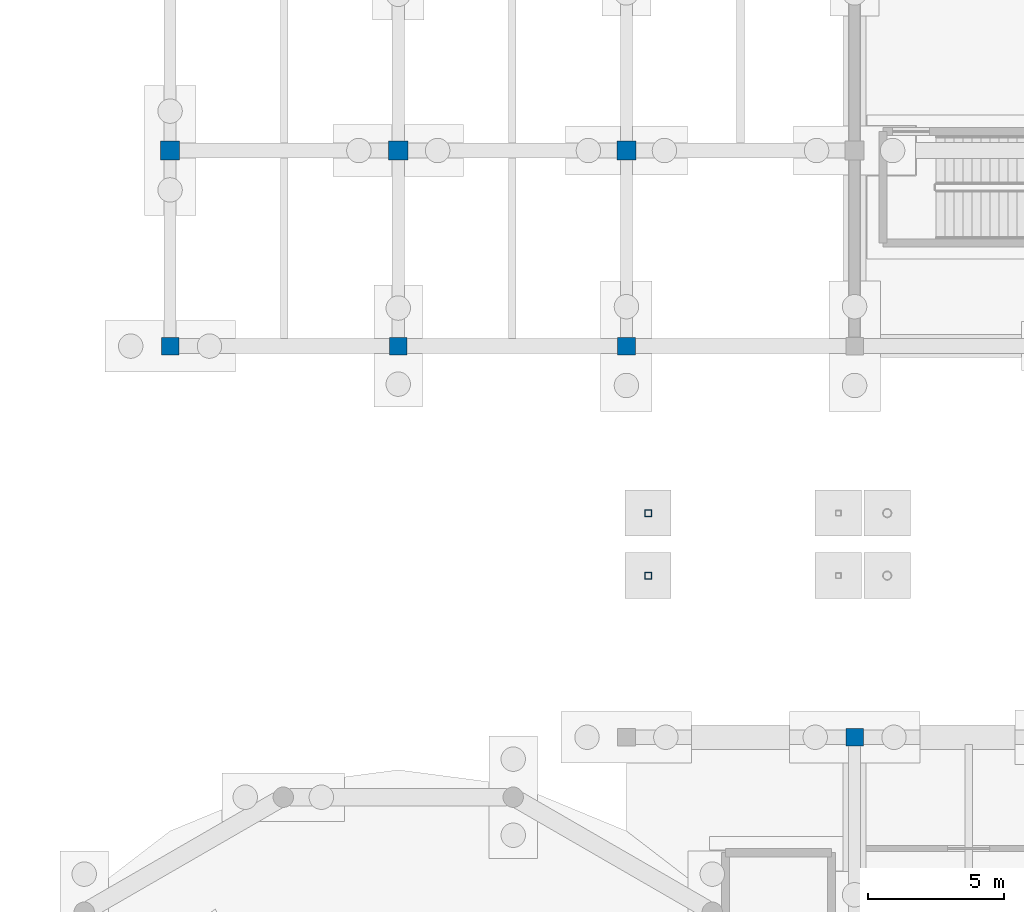
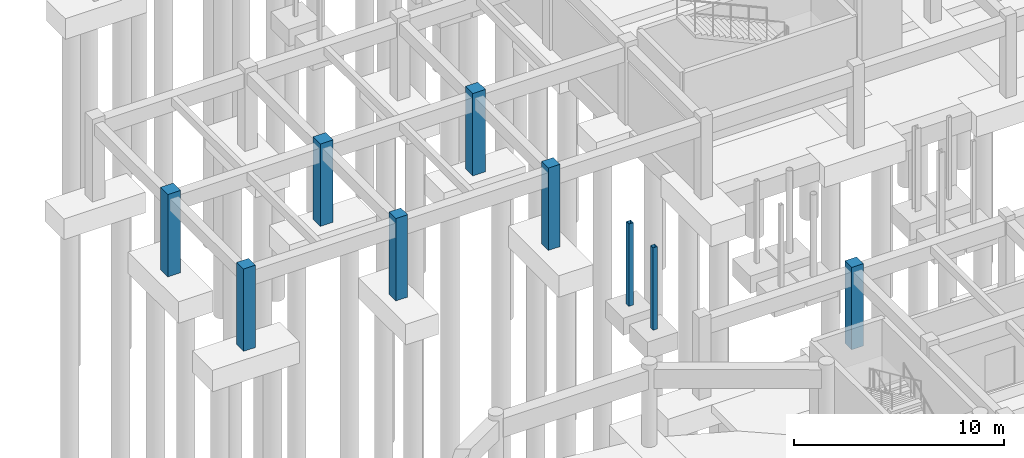
# One storey, part 17 of 80: 9 columns.
"""IFC4 building model written with IfcOpenShell, lengths in metres."""

from ifc_helpers import new_model, si_unit, direction, frame, origin, origin_2d, place, context, subcontext, project, spatial, rectangle, hollow_rectangle, extrude, material, material_profile, profile_set, type_object, element, save


model = new_model("IFC4")

# Units and contexts
model_context = context("Model", 3, precision=1e-05, world=origin(), true_north=direction((0.0, 1.0)))
body_context = subcontext(model_context, "Body", "Model", "MODEL_VIEW")
ifc_project = project(units=[si_unit("LENGTHUNIT", "METRE"), si_unit("AREAUNIT", "SQUARE_METRE"), si_unit("VOLUMEUNIT", "CUBIC_METRE"), si_unit("PLANEANGLEUNIT", "RADIAN"), si_unit("MASSUNIT", "GRAM", prefix="KILO")], contexts=[model_context])

# Site, building, storey
site_placement = place(None, origin())
site = spatial("IfcSite", under=ifc_project, at=site_placement, CompositionType="ELEMENT")
building_placement = place(site_placement, origin())
building = spatial("IfcBuilding", under=site, at=building_placement, Name="Malvenik Polytechnic", CompositionType="ELEMENT")
storey_placement = place(building_placement, frame((0.0, 0.0, -4.800048828125)))
storey = spatial("IfcBuildingStorey", under=building, at=storey_placement, Name="B1", CompositionType="ELEMENT", Elevation=-4.800048828125)

# Columns
ifc_material_1 = material(Name="Concrete C40/50", Category="concrete")
ifc_material_profile_1 = material_profile(ifc_material_1, rectangle(XDim=0.699951171875, YDim=0.699951171875, at=origin_2d()), Name="RC COL 700x700")
ifc_profile_set_1 = profile_set([ifc_material_profile_1], Name="Concrete C40/50")
column_type_1 = type_object("IfcColumnType", Name="STR-COL-C-04", PredefinedType="COLUMN", material=ifc_profile_set_1)
for number, where, z_axis, x_axis, name in (
    (1, (8.39990234375, 57.60009765625, 0.0), (0.0, 0.0, 1.0), (1.0, 0.0, 0.0), "Column C-04 B1 (8.4,57.6)"),
    (2, (16.800048828125, 57.60009765625, 0.0), (0.0, 0.0, 1.0), (1.0, 0.0, 0.0), "Column C-04 B1 (16.8,57.6)"),
    (3, (25.199951171875, 57.60009765625, 0.0), (0.0, 0.0, 1.0), (1.0, 0.0, 0.0), "Column C-04 B1 (25.2,57.6)"),
):
    element("IfcColumn", number, at=place(storey_placement, frame(where, z_axis=z_axis, x_axis=x_axis)), inside=storey, type_object=column_type_1, Name=name, PredefinedType="COLUMN", context=body_context, shape_type="SweptSolid", body=[
        extrude(rectangle(XDim=0.699951171875, YDim=0.699951171875, at=origin_2d()), origin(), (0.0, 0.0, 1.0), 4.800048828125),
    ])
ifc_material_2 = material(Name="Concrete C35/45", Category="concrete")
ifc_material_profile_2 = material_profile(ifc_material_2, rectangle(XDim=0.64990234375, YDim=0.64990234375, at=origin_2d()), Name="RC COL 650x650")
ifc_profile_set_2 = profile_set([ifc_material_profile_2], Name="Concrete C35/45")
column_type_2 = type_object("IfcColumnType", Name="STR-COL-C-05", PredefinedType="COLUMN", material=ifc_profile_set_2)
for number, where, z_axis, x_axis, name in (
    (4, (8.39990234375, 50.39990234375, 0.0), (0.0, 0.0, 1.0), (1.0, 0.0, 0.0), "Column C-05 B1 (8.4,50.4)"),
    (5, (16.800048828125, 50.39990234375, 0.0), (0.0, 0.0, 1.0), (1.0, 0.0, 0.0), "Column C-05 B1 (16.8,50.4)"),
    (6, (25.199951171875, 50.39990234375, 0.0), (0.0, 0.0, 1.0), (1.0, 0.0, 0.0), "Column C-05 B1 (25.2,50.4)"),
    (7, (33.60009765625, 36.0, 0.0), (0.0, 0.0, 1.0), (1.0, 0.0, 0.0), "Column C-05 B1 (33.6,36.0)"),
):
    element("IfcColumn", number, at=place(storey_placement, frame(where, z_axis=z_axis, x_axis=x_axis)), inside=storey, type_object=column_type_2, Name=name, PredefinedType="COLUMN", context=body_context, shape_type="SweptSolid", body=[
        extrude(rectangle(XDim=0.64990234375, YDim=0.64990234375, at=origin_2d()), origin(), (0.0, 0.0, 1.0), 4.800048828125),
    ])
ifc_material_3 = material(Name="Steel S355J2H", Category="steel")
ifc_material_profile_3 = material_profile(ifc_material_3, hollow_rectangle(XDim=0.25, YDim=0.25, WallThickness=0.010009765625, at=origin_2d()), Name="SHS 250x250x10.0")
ifc_profile_set_3 = profile_set([ifc_material_profile_3], Name="Steel S355J2H")
column_type_3 = type_object("IfcColumnType", Name="STR-SCOL-SC-01", PredefinedType="COLUMN", material=ifc_profile_set_3)
for number, where, z_axis, x_axis, name in (
    (8, (26.0, 41.949951171875, 0.0), (0.0, 0.0, 1.0), (1.0, 0.0, 0.0), "Bridge-Ramp Support Column SC-01 B1"),
    (9, (26.0, 44.25, 0.0), (0.0, 0.0, 1.0), (1.0, 0.0, 0.0), "Bridge-Ramp Support Column SC-01 B1"),
):
    element("IfcColumn", number, at=place(storey_placement, frame(where, z_axis=z_axis, x_axis=x_axis)), inside=storey, type_object=column_type_3, Name=name, PredefinedType="COLUMN", context=body_context, shape_type="SweptSolid", body=[
        extrude(hollow_rectangle(XDim=0.25, YDim=0.25, WallThickness=0.010009765625, at=origin_2d()), origin(), (0.0, 0.0, 1.0), 4.800048828125),
    ])

save(model, "model.ifc")
